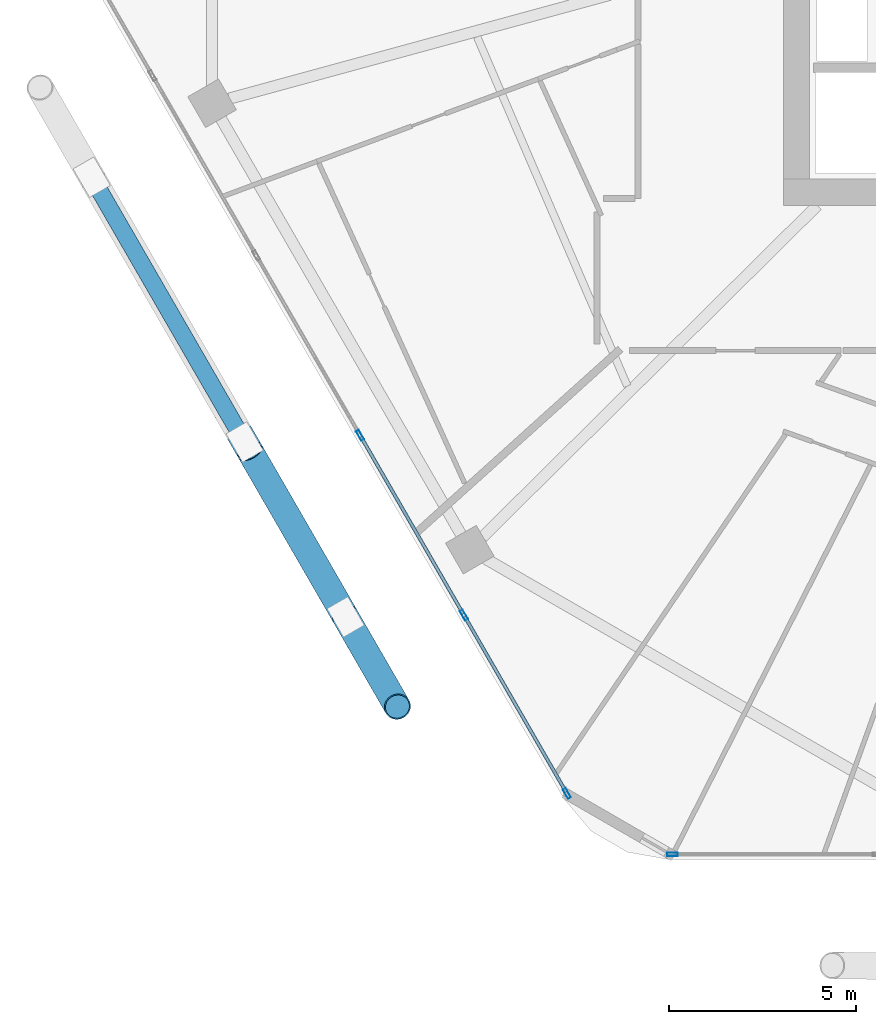
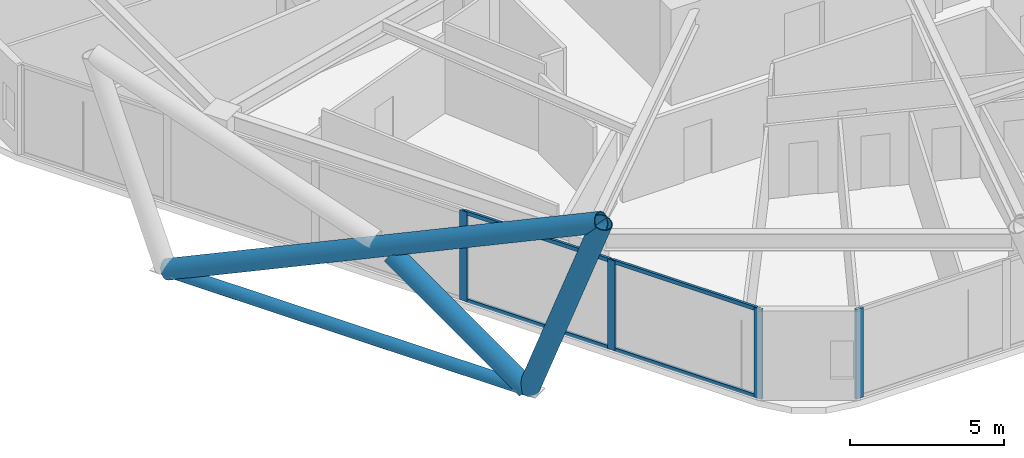
# One storey, part 2 of 28: 12 members, 2 elements without a shape of their own.
"""IFC4 building model written with IfcOpenShell, lengths in metres."""

from ifc_helpers import new_model, si_unit, direction, frame, origin, origin_2d, place, context, subcontext, project, spatial, hollow_rectangle, hollow_circle, extrude, material, material_profile, profile_set, type_object, element, aggregate, save


model = new_model("IFC4")

# Units and contexts
model_context = context("Model", 3, precision=1e-05, world=origin(), true_north=direction((0.0, 1.0)))
body_context = subcontext(model_context, "Body", "Model", "MODEL_VIEW")
ifc_project = project(units=[si_unit("LENGTHUNIT", "METRE"), si_unit("AREAUNIT", "SQUARE_METRE"), si_unit("VOLUMEUNIT", "CUBIC_METRE"), si_unit("PLANEANGLEUNIT", "RADIAN"), si_unit("MASSUNIT", "GRAM", prefix="KILO")], contexts=[model_context])

# Site, building, storey
site_placement = place(None, origin())
site = spatial("IfcSite", under=ifc_project, at=site_placement, CompositionType="ELEMENT")
building_placement = place(site_placement, origin())
building = spatial("IfcBuilding", under=site, at=building_placement, Name="Zuhravey Tower", CompositionType="ELEMENT")
storey_placement = place(building_placement, frame((0.0, 0.0, 199.800048828125)))
storey = spatial("IfcBuildingStorey", under=building, at=storey_placement, Name="L50", CompositionType="ELEMENT", Elevation=199.800048828125)

# Curtain wall, member
ifc_material_1 = material(Name="Thermally broken anodised aluminium", Category="aluminium")
curtain_wall_type = type_object("IfcCurtainWallType", Name="Zone 1-2 Residential Curtain Wall CW3", PredefinedType="NOTDEFINED", material=ifc_material_1)
curtain_wall_1_placement = place(storey_placement, origin())
curtain_wall_1 = element("IfcCurtainWall", 1, at=curtain_wall_1_placement, inside=storey, type_object=curtain_wall_type, Name="L50 CW3 CW-L50-F5-1", PredefinedType="NOTDEFINED")
ifc_material_2 = material(Name="Anodised aluminium", Category="aluminium")
ifc_material_profile_1 = material_profile(ifc_material_2, hollow_rectangle(XDim=0.090087890625, YDim=0.284912109375, WallThickness=0.0048828125, at=origin_2d()), Name="ALU-RHS-90x285x5")
ifc_profile_set_1 = profile_set([ifc_material_profile_1], Name="Anodised aluminium")
member_type_1 = type_object("IfcMemberType", Name="Curtain-Wall Mullion 90x180", PredefinedType="MULLION", material=ifc_profile_set_1)
member_1_placement = place(storey_placement, frame((22.183837890625, 4.81689453125, 0.0), z_axis=(0.0, 0.0, 1.0), x_axis=(0.0, -1.0, 0.0)))
member_1 = element("IfcMember", 2, at=member_1_placement, type_object=member_type_1, Name="CW3 mullion 6", PredefinedType="MULLION", context=body_context, shape_type="SweptSolid", body=[
    extrude(hollow_rectangle(XDim=0.090087890625, YDim=0.284912109375, WallThickness=0.0048828125, at=origin_2d()), origin(), (0.0, 0.0, 1.0), 3.550048828125),
])
aggregate(curtain_wall_1, [member_1])

# Curtain wall, members
curtain_wall_2_placement = place(storey_placement, origin())
curtain_wall_2 = element("IfcCurtainWall", 3, at=curtain_wall_2_placement, inside=storey, type_object=curtain_wall_type, Name="L50 CW3 CW-L50-F4-1", PredefinedType="NOTDEFINED")
member_2_placement = place(storey_placement, frame((19.36669921875, 6.443359375, 0.0), z_axis=(0.0, 0.0, 1.0), x_axis=(-0.866025138215, -0.500000459979, 0.0)))
member_2 = element("IfcMember", 4, at=member_2_placement, type_object=member_type_1, Name="CW3 mullion 1", PredefinedType="MULLION", context=body_context, shape_type="SweptSolid", body=[
    extrude(hollow_rectangle(XDim=0.090087890625, YDim=0.284912109375, WallThickness=0.0048828125, at=origin_2d()), origin(), (0.0, 0.0, 1.0), 3.550048828125),
])
member_3_placement = place(storey_placement, frame((16.6171875, 11.2060546875, 0.0), z_axis=(0.0, 0.0, 1.0), x_axis=(-0.866025138215, -0.500000459979, 0.0)))
member_3 = element("IfcMember", 5, at=member_3_placement, type_object=member_type_1, Name="CW3 mullion 2", PredefinedType="MULLION", context=body_context, shape_type="SweptSolid", body=[
    extrude(hollow_rectangle(XDim=0.090087890625, YDim=0.284912109375, WallThickness=0.0048828125, at=origin_2d()), origin(), (0.0, 0.0, 1.0), 3.550048828125),
])
member_4_placement = place(storey_placement, frame((13.844970703125, 16.007568359375, 0.0), z_axis=(0.0, 0.0, 1.0), x_axis=(-0.866025138215, -0.500000459979, 0.0)))
member_4 = element("IfcMember", 6, at=member_4_placement, type_object=member_type_1, Name="CW3 mullion 3", PredefinedType="MULLION", context=body_context, shape_type="SweptSolid", body=[
    extrude(hollow_rectangle(XDim=0.090087890625, YDim=0.284912109375, WallThickness=0.0048828125, at=origin_2d()), origin(), (0.0, 0.0, 1.0), 3.550048828125),
])
ifc_material_profile_2 = material_profile(ifc_material_2, hollow_rectangle(XDim=0.090087890625, YDim=0.14990234375, WallThickness=0.0048828125, at=origin_2d()), Name="ALU-RHS-90x150x5")
ifc_profile_set_2 = profile_set([ifc_material_profile_2], Name="Anodised aluminium")
member_type_2 = type_object("IfcMemberType", Name="Curtain-Wall Transom 90x150", PredefinedType="USERDEFINED", material=ifc_profile_set_2)
member_5_placement = place(storey_placement, frame((19.34423828125, 6.482421875, 0.044921875), z_axis=(-0.499993332629, 0.866029253159, 0.0), x_axis=(-0.866029253159, -0.499993332629, 0.0)))
member_5 = element("IfcMember", 7, at=member_5_placement, type_object=member_type_2, Name="CW3 transom 1.1", ObjectType="TRANSOM", PredefinedType="USERDEFINED", context=body_context, shape_type="SweptSolid", body=[
    extrude(hollow_rectangle(XDim=0.090087890625, YDim=0.14990234375, WallThickness=0.0048828125, at=origin_2d()), origin(), (0.0, 0.0, 1.0), 5.4091796875),
])
member_6_placement = place(storey_placement, frame((19.34423828125, 6.482421875, 3.5048828125), z_axis=(-0.499993332629, 0.866029253159, 0.0), x_axis=(-0.866029253159, -0.499993332629, 0.0)))
member_6 = element("IfcMember", 8, at=member_6_placement, type_object=member_type_2, Name="CW3 transom 1.2", ObjectType="TRANSOM", PredefinedType="USERDEFINED", context=body_context, shape_type="SweptSolid", body=[
    extrude(hollow_rectangle(XDim=0.090087890625, YDim=0.14990234375, WallThickness=0.0048828125, at=origin_2d()), origin(), (0.0, 0.0, 1.0), 5.4091796875),
])
member_7_placement = place(storey_placement, frame((16.594482421875, 11.244873046875, 0.044921875), z_axis=(-0.49996138257, 0.86604769842, 0.0), x_axis=(-0.86604769842, -0.49996138257, 0.0)))
member_7 = element("IfcMember", 9, at=member_7_placement, type_object=member_type_2, Name="CW3 transom 2.1", ObjectType="TRANSOM", PredefinedType="USERDEFINED", context=body_context, shape_type="SweptSolid", body=[
    extrude(hollow_rectangle(XDim=0.090087890625, YDim=0.14990234375, WallThickness=0.0048828125, at=origin_2d()), origin(), (0.0, 0.0, 1.0), 5.45458984375),
])
member_8_placement = place(storey_placement, frame((16.594482421875, 11.244873046875, 3.5048828125), z_axis=(-0.49996138257, 0.86604769842, 0.0), x_axis=(-0.86604769842, -0.49996138257, 0.0)))
member_8 = element("IfcMember", 10, at=member_8_placement, type_object=member_type_2, Name="CW3 transom 2.2", ObjectType="TRANSOM", PredefinedType="USERDEFINED", context=body_context, shape_type="SweptSolid", body=[
    extrude(hollow_rectangle(XDim=0.090087890625, YDim=0.14990234375, WallThickness=0.0048828125, at=origin_2d()), origin(), (0.0, 0.0, 1.0), 5.45458984375),
])
aggregate(curtain_wall_2, [member_2, member_3, member_4, member_5, member_6, member_7, member_8])

# Members
ifc_material_3 = material(Name="Steel SM355", Category="steel")
ifc_material_profile_3 = material_profile(ifc_material_3, hollow_circle(Radius=0.228515625, WallThickness=0.02197265625, at=origin_2d()), Name="CHS-457.2x22")
ifc_profile_set_3 = profile_set([ifc_material_profile_3], Name="Steel SM355")
member_type_3 = type_object("IfcMemberType", Name="Exoskeleton Ring Tie CHS457x22", PredefinedType="CHORD", material=ifc_profile_set_3)
member_9_placement = place(storey_placement, frame((6.748046875, 22.779541015625, -0.464111328125), z_axis=(0.500004091344, -0.866023041633, 0.0), x_axis=(0.866023041633, 0.500004091344, 0.0)))
element("IfcMember", 11, at=member_9_placement, inside=storey, type_object=member_type_3, Name="L50 Exoskeleton Face 4 Tie EXR1", PredefinedType="CHORD", context=body_context, shape_type="SweptSolid", body=[
    extrude(hollow_circle(Radius=0.228515625, WallThickness=0.02197265625, at=origin_2d()), origin(), (0.0, 0.0, 1.0), 13.28173828125),
])
ifc_material_4 = material(Name="Steel SM460", Category="steel")
ifc_material_profile_4 = material_profile(ifc_material_4, hollow_circle(Radius=0.355712890625, WallThickness=0.031982421875, at=origin_2d()), Name="CHS-711.2x32")
ifc_profile_set_4 = profile_set([ifc_material_profile_4], Name="Steel SM460")
member_type_4 = type_object("IfcMemberType", Name="Exoskeleton Zone 2 Diagrid CHS711x32", PredefinedType="BRACE", material=ifc_profile_set_4)
member_10_placement = place(storey_placement, frame((6.699462890625, 22.86376953125, -0.444091796875), z_axis=(0.453338388553, -0.785209877744, 0.421817203724), x_axis=(0.866026715089, 0.499997728747, 0.0)))
element("IfcMember", 12, at=member_10_placement, inside=storey, type_object=member_type_4, Name="L50 Face 4 Diagrid Brace 2", PredefinedType="BRACE", context=body_context, shape_type="SweptSolid", body=[
    extrude(hollow_circle(Radius=0.355712890625, WallThickness=0.031982421875, at=origin_2d()), origin(), (0.0, 0.0, 1.0), 17.922607421875),
])
member_11_placement = place(storey_placement, frame((13.462646484375, 11.149658203125, -0.444091796875), z_axis=(0.171428917165, -0.296929081792, 0.939385568734), x_axis=(0.866029404905, 0.499993069792, 0.0)))
element("IfcMember", 13, at=member_11_placement, inside=storey, type_object=member_type_4, Name="L50 Face 4 Diagrid Brace 4", PredefinedType="BRACE", context=body_context, shape_type="SweptSolid", body=[
    extrude(hollow_circle(Radius=0.355712890625, WallThickness=0.031982421875, at=origin_2d()), origin(), (0.0, 0.0, 1.0), 8.0478515625),
])
member_12_placement = place(storey_placement, frame((13.439697265625, 11.189453125, -0.436767578125), z_axis=(-0.408754040359, 0.707971912813, 0.575930469032), x_axis=(-0.866022084834, -0.500005748546, 0.0)))
element("IfcMember", 14, at=member_12_placement, inside=storey, type_object=member_type_4, Name="L50 Face 4 Split Diagrid Brace 3A", PredefinedType="BRACE", context=body_context, shape_type="SweptSolid", body=[
    extrude(hollow_circle(Radius=0.355712890625, WallThickness=0.031982421875, at=origin_2d()), origin(), (0.0, 0.0, 1.0), 6.205078125),
])

save(model, "model.ifc")
